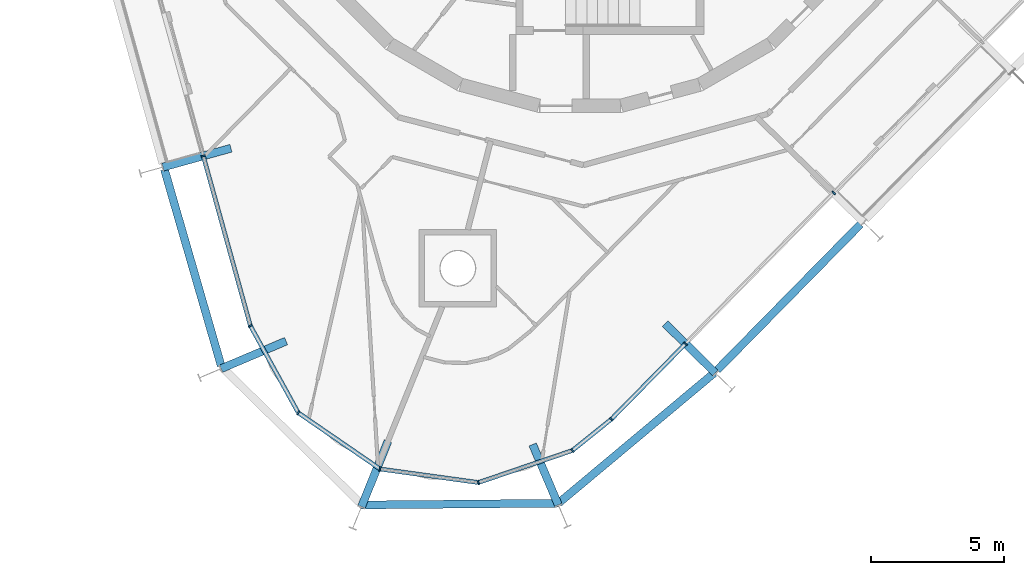
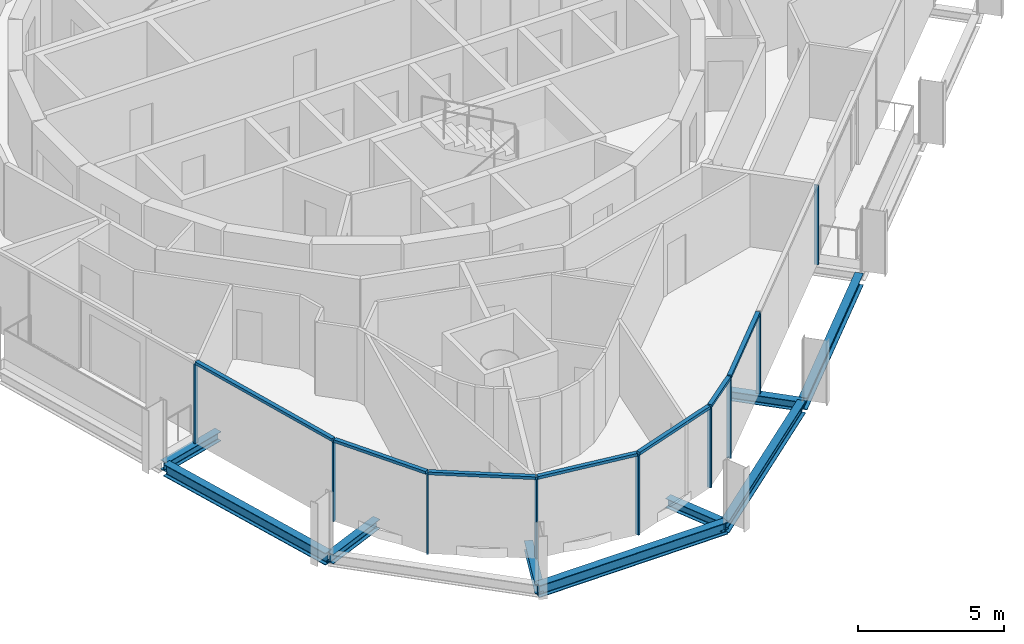
# One storey, part 2 of 15: 16 members, 9 beams, 2 elements without a shape of their own.
"""IFC4 building model written with IfcOpenShell, lengths in metres."""

from ifc_helpers import new_model, si_unit, direction, frame, origin, origin_2d, place, context, subcontext, project, spatial, rectangle, i_section, extrude, material, layer, layer_set, material_profile, profile_set, type_object, element, aggregate, save


model = new_model("IFC4")

# Units and contexts
model_context = context("Model", 3, precision=1e-05, world=origin(), true_north=direction((0.0, 1.0)))
body_context = subcontext(model_context, "Body", "Model", "MODEL_VIEW")
ifc_project = project(units=[si_unit("LENGTHUNIT", "METRE"), si_unit("AREAUNIT", "SQUARE_METRE"), si_unit("VOLUMEUNIT", "CUBIC_METRE"), si_unit("PLANEANGLEUNIT", "RADIAN"), si_unit("MASSUNIT", "GRAM", prefix="KILO")], contexts=[model_context])

# Site, building, storey
site_placement = place(None, origin())
site = spatial("IfcSite", under=ifc_project, at=site_placement, CompositionType="ELEMENT")
building_placement = place(site_placement, origin())
building = spatial("IfcBuilding", under=site, at=building_placement, Name="Spindle Arch Residences", CompositionType="ELEMENT")
storey_placement = place(building_placement, frame((0.0, 0.0, 322.699951171875)))
storey = spatial("IfcBuildingStorey", under=building, at=storey_placement, Name="L83", CompositionType="ELEMENT", Elevation=322.699951171875)

# Curtain wall, members
ifc_material_1 = material(Name="Aluminium bronze unitised frame with tinted glass", Category="aluminium")
ifc_layer_1 = layer(ifc_material_1, 0.159912109375)
ifc_layer_set_1 = layer_set([ifc_layer_1], Name="CW-D corner wall on the fillet arcs")
curtain_wall_type_1 = type_object("IfcCurtainWallType", Name="CW-D corner wall on the fillet arcs", PredefinedType="NOTDEFINED", material=ifc_layer_set_1)
curtain_wall_1_placement = place(storey_placement, origin())
curtain_wall_1 = element("IfcCurtainWall", 1, at=curtain_wall_1_placement, inside=storey, type_object=curtain_wall_type_1, Name="CW-D L83 run 5", PredefinedType="NOTDEFINED")
ifc_material_2 = material(Name="Aluminium bronze anodised mullion", Category="aluminium")
ifc_material_profile_1 = material_profile(ifc_material_2, rectangle(XDim=0.159912109375, YDim=0.06005859375, at=origin_2d()), Name="MU 60x160")
ifc_profile_set_1 = profile_set([ifc_material_profile_1], Name="Aluminium bronze anodised mullion")
member_type_1 = type_object("IfcMemberType", Name="Bronze mullion 60x160", PredefinedType="MULLION", material=ifc_profile_set_1)
member_1_placement = place(storey_placement, frame((-14.1435546875, -13.529296875, -0.3798828125), z_axis=(0.0, 0.0, 1.0), x_axis=(0.963630453209, 0.267238376078, 0.0)))
member_1 = element("IfcMember", 2, at=member_1_placement, type_object=member_type_1, Name="CW-D mullion 00", PredefinedType="MULLION", context=body_context, shape_type="SweptSolid", body=[
    extrude(rectangle(XDim=0.159912109375, YDim=0.06005859375, at=origin_2d()), origin(), (0.0, 0.0, 1.0), 3.309814453125),
])
member_2_placement = place(storey_placement, frame((-12.37548828125, -19.90478515625, -0.3798828125), z_axis=(0.0, 0.0, 1.0), x_axis=(0.876026260142, 0.482263404731, 0.0)))
member_2 = element("IfcMember", 3, at=member_2_placement, type_object=member_type_1, Name="CW-D mullion 01", PredefinedType="MULLION", context=body_context, shape_type="SweptSolid", body=[
    extrude(rectangle(XDim=0.159912109375, YDim=0.06005859375, at=origin_2d()), origin(), (0.0, 0.0, 1.0), 3.309814453125),
])
member_3_placement = place(storey_placement, frame((-10.578125, -23.16943359375, -0.3798828125), z_axis=(0.0, 0.0, 1.0), x_axis=(0.566406236997, 0.824126188573, 0.0)))
member_3 = element("IfcMember", 4, at=member_3_placement, type_object=member_type_1, Name="CW-D mullion 02", PredefinedType="MULLION", context=body_context, shape_type="SweptSolid", body=[
    extrude(rectangle(XDim=0.159912109375, YDim=0.06005859375, at=origin_2d()), origin(), (0.0, 0.0, 1.0), 3.309814453125),
])
member_4_placement = place(storey_placement, frame((-7.5068359375, -25.2802734375, -0.3798828125), z_axis=(0.0, 0.0, 1.0), x_axis=(0.136291936259, 0.99066871764, 0.0)))
member_4 = element("IfcMember", 5, at=member_4_placement, type_object=member_type_1, Name="CW-D mullion 03", PredefinedType="MULLION", context=body_context, shape_type="SweptSolid", body=[
    extrude(rectangle(XDim=0.159912109375, YDim=0.06005859375, at=origin_2d()), origin(), (0.0, 0.0, 1.0), 3.309814453125),
])
member_5_placement = place(storey_placement, frame((-3.81494140625, -25.788330078125, -0.3798828125), z_axis=(0.0, 0.0, 1.0), x_axis=(-0.322816381002, 0.946461612616, 0.0)))
member_5 = element("IfcMember", 6, at=member_5_placement, type_object=member_type_1, Name="CW-D mullion 04", PredefinedType="MULLION", context=body_context, shape_type="SweptSolid", body=[
    extrude(rectangle(XDim=0.159912109375, YDim=0.06005859375, at=origin_2d()), origin(), (0.0, 0.0, 1.0), 3.309814453125),
])
member_6_placement = place(storey_placement, frame((-0.28759765625, -24.585205078125, -0.3798828125), z_axis=(0.0, 0.0, 1.0), x_axis=(-0.627057102153, 0.778973292636, 0.0)))
member_6 = element("IfcMember", 7, at=member_6_placement, type_object=member_type_1, Name="CW-D mullion 05", PredefinedType="MULLION", context=body_context, shape_type="SweptSolid", body=[
    extrude(rectangle(XDim=0.159912109375, YDim=0.06005859375, at=origin_2d()), origin(), (0.0, 0.0, 1.0), 3.309814453125),
])
member_7_placement = place(storey_placement, frame((1.173828125, -23.40869140625, -0.3798828125), z_axis=(0.0, 0.0, 1.0), x_axis=(-0.713250449154, 0.7009092643, 0.0)))
member_7 = element("IfcMember", 8, at=member_7_placement, type_object=member_type_1, Name="CW-D mullion 06", PredefinedType="MULLION", context=body_context, shape_type="SweptSolid", body=[
    extrude(rectangle(XDim=0.159912109375, YDim=0.06005859375, at=origin_2d()), origin(), (0.0, 0.0, 1.0), 3.309814453125),
])

ifc_material_3 = material(Name="Aluminium bronze unitised frame with tinted glass", Category="aluminium")
ifc_layer_2 = layer(ifc_material_3, 0.159912109375)
ifc_layer_set_2 = layer_set([ifc_layer_2], Name="CW-C typical residential unitised wall")
curtain_wall_type_2 = type_object("IfcCurtainWallType", Name="CW-C typical residential unitised wall", PredefinedType="NOTDEFINED", material=ifc_layer_set_2)
curtain_wall_2_placement = place(storey_placement, origin())
curtain_wall_2 = element("IfcCurtainWall", 9, at=curtain_wall_2_placement, inside=storey, type_object=curtain_wall_type_2, Name="CW-C L83 run 6", PredefinedType="NOTDEFINED")
member_8_placement = place(storey_placement, frame((3.95703125, -20.576416015625, -0.3798828125), z_axis=(0.0, 0.0, 1.0), x_axis=(-0.713250449154, 0.7009092643, 0.0)))
member_8 = element("IfcMember", 10, at=member_8_placement, type_object=member_type_1, Name="CW-C mullion 18", PredefinedType="MULLION", context=body_context, shape_type="SweptSolid", body=[
    extrude(rectangle(XDim=0.159912109375, YDim=0.06005859375, at=origin_2d()), origin(), (0.0, 0.0, 1.0), 3.309814453125),
])
member_9_placement = place(storey_placement, frame((9.518798828125, -14.916748046875, -0.3798828125), z_axis=(0.0, 0.0, 1.0), x_axis=(-0.713250449154, 0.7009092643, 0.0)))
member_9 = element("IfcMember", 11, at=member_9_placement, type_object=member_type_1, Name="CW-C mullion 19", PredefinedType="MULLION", context=body_context, shape_type="SweptSolid", body=[
    extrude(rectangle(XDim=0.159912109375, YDim=0.06005859375, at=origin_2d()), origin(), (0.0, 0.0, 1.0), 3.309814453125),
])
aggregate(curtain_wall_2, [member_8, member_9])

# Member
ifc_material_4 = material(Name="Aluminium bronze anodised transom", Category="aluminium")
ifc_material_profile_2 = material_profile(ifc_material_4, rectangle(XDim=0.159912109375, YDim=0.1201171875, at=origin_2d()), Name="TR 120x160")
ifc_profile_set_2 = profile_set([ifc_material_profile_2], Name="Aluminium bronze anodised transom")
member_type_2 = type_object("IfcMemberType", Name="Bronze transom 120x160", PredefinedType="USERDEFINED", material=ifc_profile_set_2)
member_10_placement = place(storey_placement, frame((-14.135498046875, -13.558349609375, 2.989990234375), z_axis=(0.267236650425, -0.963630931773, 0.0), x_axis=(0.963630931773, 0.267236650425, 0.0)))
member_10 = element("IfcMember", 12, at=member_10_placement, type_object=member_type_2, Name="CW-D transom 00", ObjectType="TRANSOM", PredefinedType="USERDEFINED", context=body_context, shape_type="SweptSolid", body=[
    extrude(rectangle(XDim=0.159912109375, YDim=0.1201171875, at=origin_2d()), origin(), (0.0, 0.0, 1.0), 6.555908203125),
])

member_11_placement = place(storey_placement, frame((-12.36083984375, -19.930908203125, 2.989990234375), z_axis=(0.482258656, -0.87602887436, 0.0), x_axis=(0.87602887436, 0.482258656, 0.0)))
member_11 = element("IfcMember", 13, at=member_11_placement, type_object=member_type_2, Name="CW-D transom 01", ObjectType="TRANSOM", PredefinedType="USERDEFINED", context=body_context, shape_type="SweptSolid", body=[
    extrude(rectangle(XDim=0.159912109375, YDim=0.1201171875, at=origin_2d()), origin(), (0.0, 0.0, 1.0), 3.666748046875),
])

member_12_placement = place(storey_placement, frame((-10.553466796875, -23.1865234375, 2.989990234375), z_axis=(0.824162355163, -0.566353610682, 0.0), x_axis=(0.566353610682, 0.824162355163, 0.0)))
member_12 = element("IfcMember", 14, at=member_12_placement, type_object=member_type_2, Name="CW-D transom 02", ObjectType="TRANSOM", PredefinedType="USERDEFINED", context=body_context, shape_type="SweptSolid", body=[
    extrude(rectangle(XDim=0.159912109375, YDim=0.1201171875, at=origin_2d()), origin(), (0.0, 0.0, 1.0), 3.666748046875),
])

member_13_placement = place(storey_placement, frame((-7.47705078125, -25.284423828125, 2.989990234375), z_axis=(0.9906686165, -0.136292671414, 0.0), x_axis=(0.136292671414, 0.9906686165, 0.0)))
member_13 = element("IfcMember", 15, at=member_13_placement, type_object=member_type_2, Name="CW-D transom 03", ObjectType="TRANSOM", PredefinedType="USERDEFINED", context=body_context, shape_type="SweptSolid", body=[
    extrude(rectangle(XDim=0.159912109375, YDim=0.1201171875, at=origin_2d()), origin(), (0.0, 0.0, 1.0), 3.666748046875),
])

member_14_placement = place(storey_placement, frame((-3.786376953125, -25.778564453125, 2.989990234375), z_axis=(0.946449629286, 0.322851512656, 0.0), x_axis=(-0.322851512656, 0.946449629286, 0.0)))
member_14 = element("IfcMember", 16, at=member_14_placement, type_object=member_type_2, Name="CW-D transom 04", ObjectType="TRANSOM", PredefinedType="USERDEFINED", context=body_context, shape_type="SweptSolid", body=[
    extrude(rectangle(XDim=0.159912109375, YDim=0.1201171875, at=origin_2d()), origin(), (0.0, 0.0, 1.0), 3.666748046875),
])

member_15_placement = place(storey_placement, frame((-0.26416015625, -24.56640625, 2.989990234375), z_axis=(0.778910776855, 0.627134755614, 0.0), x_axis=(-0.627134755614, 0.778910776855, 0.0)))
member_15 = element("IfcMember", 17, at=member_15_placement, type_object=member_type_2, Name="CW-D transom 05", ObjectType="TRANSOM", PredefinedType="USERDEFINED", context=body_context, shape_type="SweptSolid", body=[
    extrude(rectangle(XDim=0.159912109375, YDim=0.1201171875, at=origin_2d()), origin(), (0.0, 0.0, 1.0), 1.816162109375),
])

member_16_placement = place(storey_placement, frame((1.19482421875, -23.387451171875, 2.989990234375), z_axis=(0.70089977121, 0.713259777863, 0.0), x_axis=(-0.713259777863, 0.70089977121, 0.0)))
member_16 = element("IfcMember", 18, at=member_16_placement, type_object=member_type_2, Name="CW-D transom 06", ObjectType="TRANSOM", PredefinedType="USERDEFINED", context=body_context, shape_type="SweptSolid", body=[
    extrude(rectangle(XDim=0.159912109375, YDim=0.1201171875, at=origin_2d()), origin(), (0.0, 0.0, 1.0), 3.910888671875),
])

aggregate(curtain_wall_1, [member_1, member_10, member_2, member_11, member_3, member_12, member_4, member_13, member_5, member_14, member_6, member_15, member_7, member_16])

# Beams
ifc_material_5 = material(Name="Steel S460ML, intumescent coating R 120", Category="steel")
ifc_material_profile_3 = material_profile(ifc_material_5, i_section(OverallWidth=0.300048828125, OverallDepth=0.5, WebThickness=0.014404296875, FlangeThickness=0.028076171875, FilletRadius=0.027099609375, at=origin_2d()), Name="HEB 500")
ifc_profile_set_3 = profile_set([ifc_material_profile_3], Name="Steel S460ML, intumescent coating R 120")
beam_type_1 = type_object("IfcBeamType", Name="Exoskeleton edge beam HEB 500", PredefinedType="BEAM", material=ifc_profile_set_3)
beam_1_placement = place(storey_placement, frame((-15.6005859375, -14.035888671875, -0.6298828125), z_axis=(0.277657791247, -0.960680046092, 0.0), x_axis=(0.960680046092, 0.277657791247, 0.0)))
element("IfcBeam", 19, at=beam_1_placement, inside=storey, type_object=beam_type_1, Name="Exoskeleton edge beam 15", PredefinedType="BEAM", context=body_context, shape_type="SweptSolid", body=[
    extrude(i_section(OverallWidth=0.300048828125, OverallDepth=0.5, WebThickness=0.014404296875, FlangeThickness=0.028076171875, FilletRadius=0.027099609375, at=origin_2d()), origin(), (0.0, 0.0, 1.0), 7.671875),
])
beam_2_placement = place(storey_placement, frame((-8.247314453125, -26.628662109375, -0.6298828125), z_axis=(0.999961377867, 0.00878878686, 0.0), x_axis=(-0.00878878686, 0.999961377867, 0.0)))
element("IfcBeam", 20, at=beam_2_placement, inside=storey, type_object=beam_type_1, Name="Exoskeleton edge beam 17", PredefinedType="BEAM", context=body_context, shape_type="SweptSolid", body=[
    extrude(i_section(OverallWidth=0.300048828125, OverallDepth=0.5, WebThickness=0.014404296875, FlangeThickness=0.028076171875, FilletRadius=0.027099609375, at=origin_2d()), origin(), (0.0, 0.0, 1.0), 7.472412109375),
])
beam_3_placement = place(storey_placement, frame((-0.811279296875, -26.5615234375, -0.6298828125), z_axis=(0.767144884688, 0.641473870003, 0.0), x_axis=(-0.641473870003, 0.767144884688, 0.0)))
element("IfcBeam", 21, at=beam_3_placement, inside=storey, type_object=beam_type_1, Name="Exoskeleton edge beam 18", PredefinedType="BEAM", context=body_context, shape_type="SweptSolid", body=[
    extrude(i_section(OverallWidth=0.300048828125, OverallDepth=0.5, WebThickness=0.014404296875, FlangeThickness=0.028076171875, FilletRadius=0.027099609375, at=origin_2d()), origin(), (0.0, 0.0, 1.0), 7.611572265625),
])
beam_4_placement = place(storey_placement, frame((5.146484375, -21.56298828125, -0.6298828125), z_axis=(0.700924831043, 0.713235151425, 0.0), x_axis=(-0.713235151425, 0.700924831043, 0.0)))
element("IfcBeam", 22, at=beam_4_placement, inside=storey, type_object=beam_type_1, Name="Exoskeleton edge beam 19", PredefinedType="BEAM", context=body_context, shape_type="SweptSolid", body=[
    extrude(i_section(OverallWidth=0.300048828125, OverallDepth=0.5, WebThickness=0.014404296875, FlangeThickness=0.028076171875, FilletRadius=0.027099609375, at=origin_2d()), origin(), (0.0, 0.0, 1.0), 7.675048828125),
])
ifc_material_6 = material(Name="Steel S460ML, intumescent coating R 120", Category="steel")
ifc_material_profile_4 = material_profile(ifc_material_6, i_section(OverallWidth=0.300048828125, OverallDepth=0.389892578125, WebThickness=0.010986328125, FlangeThickness=0.01904296875, FilletRadius=0.027099609375, at=origin_2d()), Name="HEA 400")
ifc_profile_set_4 = profile_set([ifc_material_profile_4], Name="Steel S460ML, intumescent coating R 120")
beam_type_2 = type_object("IfcBeamType", Name="Floor outrigger HEA 400", PredefinedType="BEAM", material=ifc_profile_set_4)
beam_5_placement = place(storey_placement, frame((-15.656494140625, -13.948974609375, -0.574951171875), z_axis=(0.963626057771, 0.267254225009, 0.0), x_axis=(-0.267254225009, 0.963626057771, 0.0)))
element("IfcBeam", 23, at=beam_5_placement, inside=storey, type_object=beam_type_2, Name="Floor outrigger 15", PredefinedType="BEAM", context=body_context, shape_type="SweptSolid", body=[
    extrude(i_section(OverallWidth=0.300048828125, OverallDepth=0.389892578125, WebThickness=0.010986328125, FlangeThickness=0.01904296875, FilletRadius=0.027099609375, at=origin_2d()), origin(), (0.0, 0.0, 1.0), 2.650146484375),
])
for number, where, z_axis, x_axis, name in (
    (24, (-13.47314453125, -21.51318359375, -0.574951171875), (0.920615907856, 0.390469397267, 0.0), (-0.390469397267, 0.920615907856, 0.0), "Floor outrigger 16"),
    (25, (-8.20458984375, -26.692626953125, -0.574951171875), (0.374597094323, 0.927187692393, 0.0), (-0.927187692393, 0.374597094323, 0.0), "Floor outrigger 17"),
):
    element("IfcBeam", number, at=place(storey_placement, frame(where, z_axis=z_axis, x_axis=x_axis)), inside=storey, type_object=beam_type_2, Name=name, PredefinedType="BEAM", context=body_context, shape_type="SweptSolid", body=[
        extrude(i_section(OverallWidth=0.300048828125, OverallDepth=0.389892578125, WebThickness=0.010986328125, FlangeThickness=0.01904296875, FilletRadius=0.027099609375, at=origin_2d()), origin(), (0.0, 0.0, 1.0), 2.64990234375),
    ])
beam_6_placement = place(storey_placement, frame((-0.81689453125, -26.62744140625, -0.574951171875), z_axis=(-0.39089545077, 0.920435085472, 0.0), x_axis=(-0.920435085472, -0.39089545077, 0.0)))
element("IfcBeam", 26, at=beam_6_placement, inside=storey, type_object=beam_type_2, Name="Floor outrigger 18", PredefinedType="BEAM", context=body_context, shape_type="SweptSolid", body=[
    extrude(i_section(OverallWidth=0.300048828125, OverallDepth=0.389892578125, WebThickness=0.010986328125, FlangeThickness=0.01904296875, FilletRadius=0.027099609375, at=origin_2d()), origin(), (0.0, 0.0, 1.0), 2.467041015625),
])
beam_7_placement = place(storey_placement, frame((5.076904296875, -21.677001953125, -0.574951171875), z_axis=(-0.713252393258, 0.70090728596, 0.0), x_axis=(-0.70090728596, -0.713252393258, 0.0)))
element("IfcBeam", 27, at=beam_7_placement, inside=storey, type_object=beam_type_2, Name="Floor outrigger 19", PredefinedType="BEAM", context=body_context, shape_type="SweptSolid", body=[
    extrude(i_section(OverallWidth=0.300048828125, OverallDepth=0.389892578125, WebThickness=0.010986328125, FlangeThickness=0.01904296875, FilletRadius=0.027099609375, at=origin_2d()), origin(), (0.0, 0.0, 1.0), 2.650146484375),
])

save(model, "model.ifc")
